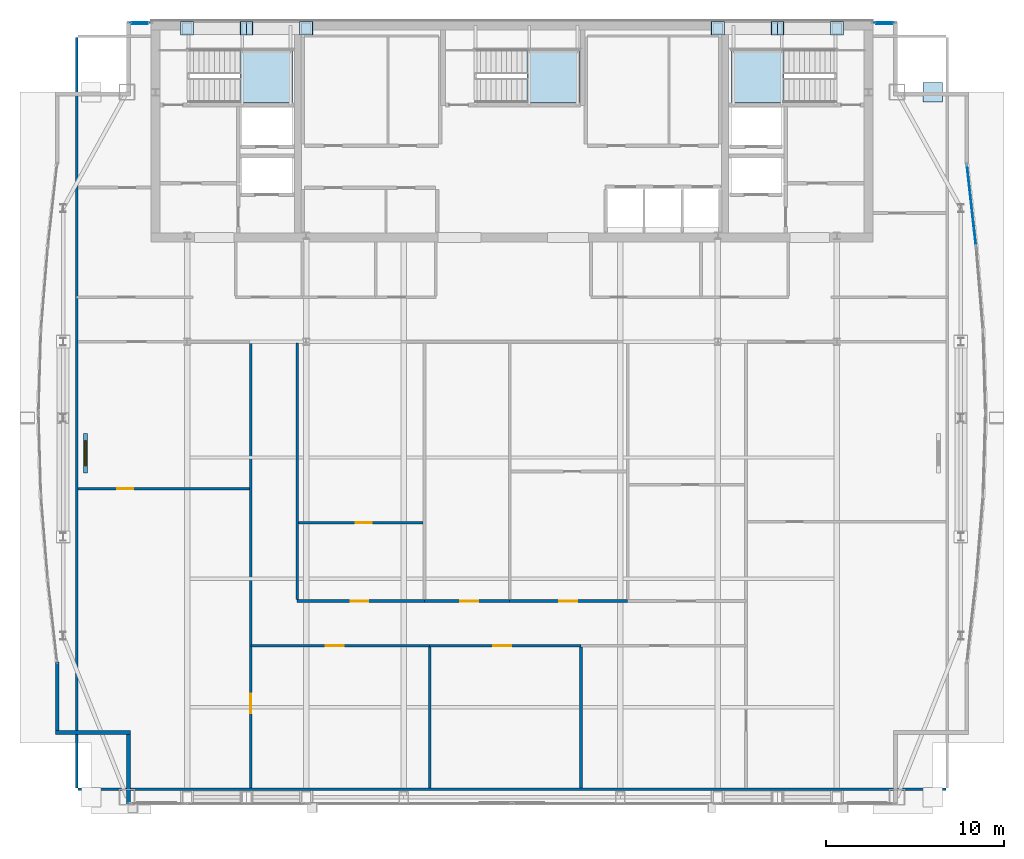
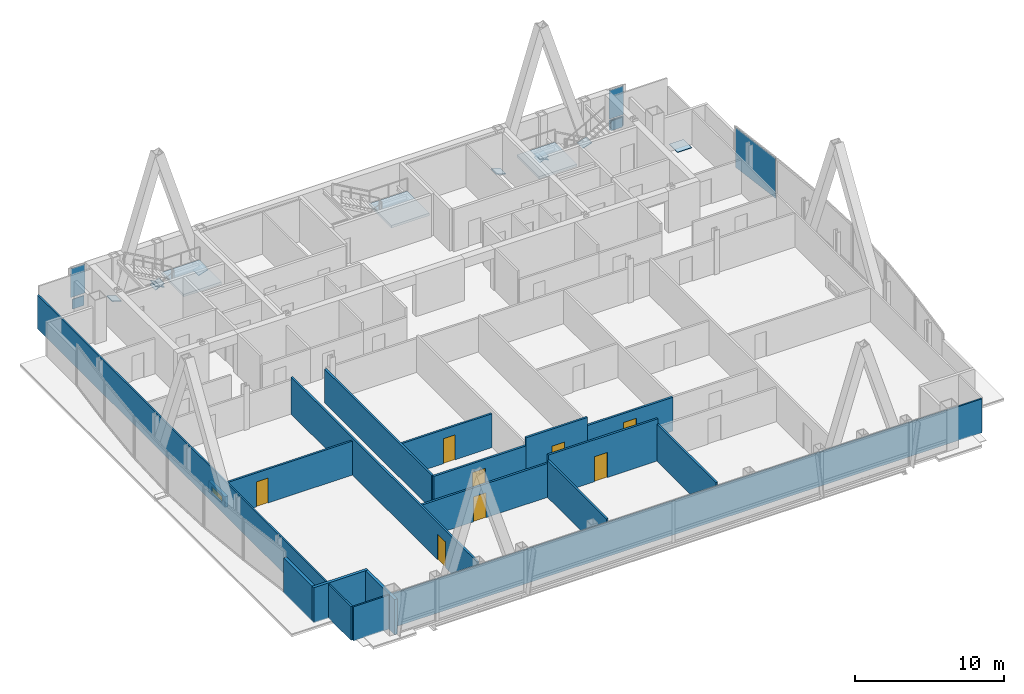
# One storey, part 22 of 28: 17 walls, 15 plates, 8 doors, 3 slabs, 1 window, 9 openings, 6 elements without a shape of their own.
"""IFC4 building model written with IfcOpenShell, lengths in metres."""

from ifc_helpers import new_model, si_unit, direction, frame, frame_2d, origin, origin_2d, place, context, subcontext, project, spatial, polyline, rectangle, outline, extrude, material, layer, layer_set, type_object, element, fill, aggregate, save


model = new_model("IFC4")

# Units and contexts
model_context = context("Model", 3, precision=1e-05, world=origin(), true_north=direction((0.0, 1.0)))
body_context = subcontext(model_context, "Body", "Model", "MODEL_VIEW")
ifc_project = project(units=[si_unit("LENGTHUNIT", "METRE"), si_unit("AREAUNIT", "SQUARE_METRE"), si_unit("VOLUMEUNIT", "CUBIC_METRE"), si_unit("PLANEANGLEUNIT", "RADIAN"), si_unit("MASSUNIT", "GRAM", prefix="KILO")], contexts=[model_context])

# Site, building, storey
site_placement = place(None, origin())
site = spatial("IfcSite", under=ifc_project, at=site_placement, CompositionType="ELEMENT")
building_placement = place(site_placement, origin())
building = spatial("IfcBuilding", under=site, at=building_placement, Name="Khoronbel Lancet Exchange", CompositionType="ELEMENT")
storey_placement = place(building_placement, frame((0.0, 0.0, 291.39990234375)))
storey = spatial("IfcBuildingStorey", under=building, at=storey_placement, Name="L75", CompositionType="ELEMENT", Elevation=291.39990234375)

# Curtain wall, plate
ifc_material_1 = material(Name="Low-E Solar Control Insulating Glass", Category="glass")
curtain_wall_type_1 = type_object("IfcCurtainWallType", Name="CW-3", PredefinedType="NOTDEFINED", material=ifc_material_1)
curtain_wall_1_placement = place(storey_placement, origin())
curtain_wall_1 = element("IfcCurtainWall", 1, at=curtain_wall_1_placement, inside=storey, type_object=curtain_wall_type_1, Name="Unitised curtain wall CW-L75-NWFLK", PredefinedType="NOTDEFINED")
ifc_material_2 = material(Name="Bronze-Anodised Aluminium 6063-T6", Category="aluminium")
ifc_layer_1 = layer(ifc_material_2, 0.050048828125, Name="Bronze-Anodised Aluminium 6063-T6")
ifc_layer_set_1 = layer_set([ifc_layer_1], Name="Bronze-Anodised Aluminium 6063-T6")
plate_type_1 = type_object("IfcPlateType", Name="PLT-CSP1", PredefinedType="SHEET", material=ifc_layer_set_1)
plate_1_placement = place(storey_placement, frame((15.580078125, 53.550048828125, 0.05029296875), z_axis=(0.0, 0.0, 1.0), x_axis=(-1.0, 0.0, 0.0)))
plate_1 = element("IfcPlate", 2, at=plate_1_placement, type_object=plate_type_1, Name="Insulated bronze spandrel cassette CW-L75-NWFLK", PredefinedType="SHEET", context=body_context, shape_type="SweptSolid", body=[
    extrude(rectangle(XDim=0.89599609375, YDim=0.050048828125, at=origin_2d()), origin(), (0.0, 0.0, 1.0), 0.800048828125),
])

curtain_wall_2_placement = place(storey_placement, origin())
curtain_wall_2 = element("IfcCurtainWall", 3, at=curtain_wall_2_placement, inside=storey, type_object=curtain_wall_type_1, Name="Unitised curtain wall CW-L75-NEFLK", PredefinedType="NOTDEFINED")
plate_2_placement = place(storey_placement, frame((57.320068359375, 53.550048828125, 0.05029296875), z_axis=(0.0, 0.0, 1.0), x_axis=(-1.0, 0.0, 0.0)))
plate_2 = element("IfcPlate", 4, at=plate_2_placement, type_object=plate_type_1, Name="Insulated bronze spandrel cassette CW-L75-NEFLK", PredefinedType="SHEET", context=body_context, shape_type="SweptSolid", body=[
    extrude(rectangle(XDim=0.89599609375, YDim=0.050048828125, at=origin_2d()), origin(), (0.0, 0.0, 1.0), 0.800048828125),
])

# Plate
ifc_layer_2 = layer(ifc_material_1, 0.035888671875, Name="Low-E Solar Control Insulating Glass")
ifc_layer_set_2 = layer_set([ifc_layer_2], Name="Low-E Solar Control Insulating Glass")
plate_type_2 = type_object("IfcPlateType", Name="PLT-CWP1", PredefinedType="CURTAIN_PANEL", material=ifc_layer_set_2)
plate_3_placement = place(storey_placement, frame((15.580078125, 53.610107421875, 0.99267578125), z_axis=(0.0, 0.0, 1.0), x_axis=(-1.0, 0.0, 0.0)))
plate_3 = element("IfcPlate", 5, at=plate_3_placement, type_object=plate_type_2, Name="CW3 panel 1.2", PredefinedType="CURTAIN_PANEL", context=body_context, shape_type="SweptSolid", body=[
    extrude(rectangle(XDim=1.110107421875, YDim=0.0380859375, at=origin_2d()), origin(), (0.0, 0.0, 1.0), 2.362548828125),
])

aggregate(curtain_wall_1, [plate_3, plate_1])

plate_4_placement = place(storey_placement, frame((57.320068359375, 53.610107421875, 0.0849609375), z_axis=(0.0, 0.0, 1.0), x_axis=(-1.0, 0.0, 0.0)))
plate_4 = element("IfcPlate", 6, at=plate_4_placement, type_object=plate_type_2, Name="CW3 panel 1.1", PredefinedType="CURTAIN_PANEL", context=body_context, shape_type="SweptSolid", body=[
    extrude(rectangle(XDim=1.110107421875, YDim=0.0380859375, at=origin_2d()), origin(), (0.0, 0.0, 1.0), 0.822509765625),
])

plate_5_placement = place(storey_placement, frame((57.320068359375, 53.610107421875, 0.99267578125), z_axis=(0.0, 0.0, 1.0), x_axis=(-1.0, 0.0, 0.0)))
plate_5 = element("IfcPlate", 7, at=plate_5_placement, type_object=plate_type_2, Name="CW3 panel 1.2", PredefinedType="CURTAIN_PANEL", context=body_context, shape_type="SweptSolid", body=[
    extrude(rectangle(XDim=1.110107421875, YDim=0.0380859375, at=origin_2d()), origin(), (0.0, 0.0, 1.0), 2.362548828125),
])

aggregate(curtain_wall_2, [plate_4, plate_5, plate_2])

# Curtain wall, plate
curtain_wall_type_2 = type_object("IfcCurtainWallType", Name="CW-4", PredefinedType="NOTDEFINED", material=ifc_material_1)
curtain_wall_3_placement = place(storey_placement, origin())
curtain_wall_3 = element("IfcCurtainWall", 8, at=curtain_wall_3_placement, inside=storey, type_object=curtain_wall_type_2, Name="Unitised curtain wall CW-L75-E17", PredefinedType="NOTDEFINED")
ifc_material_3 = material(Name="Ceramic-Fritted Laminated Insulating Glass", Category="glass")
ifc_layer_3 = layer(ifc_material_3, 0.0419921875, Name="Ceramic-Fritted Laminated Insulating Glass")
ifc_layer_set_3 = layer_set([ifc_layer_3], Name="Ceramic-Fritted Laminated Insulating Glass")
plate_type_3 = type_object("IfcPlateType", Name="PLT-CWP2", PredefinedType="CURTAIN_PANEL", material=ifc_layer_set_3)
plate_6_placement = place(storey_placement, frame((62.22265625, 43.35986328125, 0.085205078125), z_axis=(0.0, 0.0, 1.0), x_axis=(0.111790570813, -0.993731788903, 0.0)))
plate_6 = element("IfcPlate", 9, at=plate_6_placement, type_object=plate_type_3, Name="CW4 panel 1.1", PredefinedType="CURTAIN_PANEL", context=body_context, shape_type="SweptSolid", body=[
    extrude(rectangle(XDim=4.5498046875, YDim=0.0380859375, at=origin_2d()), origin(), (0.0, 0.0, 1.0), 3.27001953125),
])
aggregate(curtain_wall_3, [plate_6])

# Plates
ifc_material_4 = material(Name="Steel S460", Category="steel")
ifc_layer_4 = layer(ifc_material_4, 0.044921875, Name="Steel S460")
ifc_layer_set_4 = layer_set([ifc_layer_4], Name="Steel S460")
plate_type_4 = type_object("IfcPlateType", Name="PLT-ECP1", PredefinedType="USERDEFINED", material=ifc_layer_set_4)
plate_7_placement = place(storey_placement, frame((0.0, 0.0, -0.011962890625)))
element("IfcPlate", 10, at=plate_7_placement, inside=storey, type_object=plate_type_4, Name="Hollow end cap plate PLT-CAP-COL-L74-MC-NE-TOP", ObjectType="STIFFENER_PLATE", PredefinedType="USERDEFINED", context=body_context, shape_type="SweptSolid", body=[
    extrude(outline(polyline([(59.4951171875, 49.14501953125), (60.60498046875, 49.14501953125), (60.60498046875, 50.2548828125), (59.4951171875, 50.2548828125), (59.4951171875, 49.14501953125)])), origin(), (0.0, 0.0, 1.0), 0.045166015625),
])
for number, where, z_axis, x_axis, name in (
    (11, (21.921142578125, 52.89990234375, -0.1298828125), (0.420809267695, 0.0, 0.907149138908), (0.0, 1.0, 0.0), "Hollow end cap plate PLT-CAP-MEM-MB-T25-N-W-L-1"),
    (12, (21.203857421875, 53.659912109375, -0.1298828125), (-0.420809267695, 0.0, 0.907149138908), (0.0, -1.0, 0.0), "Hollow end cap plate PLT-CAP-MEM-MB-T25-N-W-R-1"),
    (13, (51.696044921875, 52.89990234375, -0.1298828125), (0.420809267695, 0.0, 0.907149138908), (0.0, 1.0, 0.0), "Hollow end cap plate PLT-CAP-MEM-MB-T25-N-E-L-1"),
):
    element("IfcPlate", number, at=place(storey_placement, frame(where, z_axis=z_axis, x_axis=x_axis)), inside=storey, type_object=plate_type_4, Name=name, ObjectType="STIFFENER_PLATE", PredefinedType="USERDEFINED", context=body_context, shape_type="SweptSolid", body=[
        extrude(outline(polyline([(0.0, 0.0), (0.760009765625, 0.0), (0.760009765625, 0.760009765625), (0.0, 0.760009765625), (0.0, 0.0)])), origin(), (0.0, 0.0, -1.0), 0.044921875),
    ])
plate_8_placement = place(storey_placement, frame((50.978759765625, 53.659912109375, -0.1298828125), z_axis=(-0.420686674867, 0.0, 0.907205997329), x_axis=(0.0, -1.0, 0.0)))
element("IfcPlate", 14, at=plate_8_placement, inside=storey, type_object=plate_type_4, Name="Hollow end cap plate PLT-CAP-MEM-MB-T25-N-E-R-1", ObjectType="STIFFENER_PLATE", PredefinedType="USERDEFINED", context=body_context, shape_type="SweptSolid", body=[
    extrude(outline(polyline([(0.0, 0.0), (0.760009765625, 0.0), (0.760009765625, 0.76025390625), (0.0, 0.76025390625), (0.0, 0.0)])), origin(), (0.0, 0.0, -1.0), 0.044921875),
])
for number, where, z_axis, x_axis, name in (
    (15, (18.591552734375, 52.89990234375, -0.1005859375), (0.295236958021, 0.0, 0.955424062193), (0.0, 1.0, 0.0), "Hollow end cap plate PLT-CAP-MEM-MB-T26-N-W-L-0"),
    (16, (24.533447265625, 53.659912109375, -0.1005859375), (-0.295236958021, 0.0, 0.955424062193), (0.0, -1.0, 0.0), "Hollow end cap plate PLT-CAP-MEM-MB-T26-N-W-R-0"),
):
    element("IfcPlate", number, at=place(storey_placement, frame(where, z_axis=z_axis, x_axis=x_axis)), inside=storey, type_object=plate_type_4, Name=name, ObjectType="STIFFENER_PLATE", PredefinedType="USERDEFINED", context=body_context, shape_type="SweptSolid", body=[
        extrude(outline(polyline([(0.0, 0.0), (0.760009765625, 0.0), (0.760009765625, 0.760009765625), (0.0, 0.760009765625), (0.0, 0.0)])), origin(), (0.0, 0.0, -1.0), 0.044921875),
    ])
plate_9_placement = place(storey_placement, frame((48.36669921875, 52.89990234375, -0.1005859375), z_axis=(0.295146364908, 0.0, 0.955452051796), x_axis=(0.0, 1.0, 0.0)))
element("IfcPlate", 17, at=plate_9_placement, inside=storey, type_object=plate_type_4, Name="Hollow end cap plate PLT-CAP-MEM-MB-T26-N-E-L-0", ObjectType="STIFFENER_PLATE", PredefinedType="USERDEFINED", context=body_context, shape_type="SweptSolid", body=[
    extrude(outline(polyline([(0.0, 0.0), (0.760009765625, 0.0), (0.760009765625, 0.76025390625), (0.0, 0.76025390625), (0.0, 0.0)])), origin(), (0.0, 0.0, -1.0), 0.044921875),
])
plate_10_placement = place(storey_placement, frame((54.308349609375, 53.659912109375, -0.1005859375), z_axis=(-0.295236958021, 0.0, 0.955424062193), x_axis=(0.0, -1.0, 0.0)))
element("IfcPlate", 18, at=plate_10_placement, inside=storey, type_object=plate_type_4, Name="Hollow end cap plate PLT-CAP-MEM-MB-T26-N-E-R-0", ObjectType="STIFFENER_PLATE", PredefinedType="USERDEFINED", context=body_context, shape_type="SweptSolid", body=[
    extrude(outline(polyline([(0.0, 0.0), (0.760009765625, 0.0), (0.760009765625, 0.760009765625), (0.0, 0.760009765625), (0.0, 0.0)])), origin(), (0.0, 0.0, -1.0), 0.044921875),
])

# Stair, slab
ifc_material_5 = material(Name="Concrete C40/50", Category="concrete")
stair_type = type_object("IfcStairType", Name="STR-CORE150", PredefinedType="HALF_TURN_STAIR", material=ifc_material_5)
stair_1_placement = place(storey_placement, origin())
stair_1 = element("IfcStair", 19, at=stair_1_placement, inside=storey, type_object=stair_type, Name="L75 Protected Exit Stair ST1", PredefinedType="HALF_TURN_STAIR")
ifc_layer_5 = layer(ifc_material_5, 0.199951171875, Name="Concrete C40/50")
ifc_layer_set_5 = layer_set([ifc_layer_5], Name="Concrete C40/50")
slab_type = type_object("IfcSlabType", Name="SL-LND180", PredefinedType="LANDING", material=ifc_layer_set_5)
slab_1_placement = place(storey_placement, frame((0.0, 0.0, 1.60009765625)))
slab_1 = element("IfcSlab", 20, at=slab_1_placement, type_object=slab_type, Name="ST1 landing 1", PredefinedType="LANDING", context=body_context, shape_type="SweptSolid", body=[
    extrude(outline(polyline([(21.199951171875, 49.1201171875), (24.14990234375, 49.1201171875), (24.14990234375, 52.10009765625), (21.199951171875, 52.10009765625), (21.199951171875, 49.1201171875)])), origin(), (0.0, 0.0, 1.0), 0.199951171875),
])
aggregate(stair_1, [slab_1])

stair_2_placement = place(storey_placement, origin())
stair_2 = element("IfcStair", 21, at=stair_2_placement, inside=storey, type_object=stair_type, Name="L75 Protected Exit Stair ST2", PredefinedType="HALF_TURN_STAIR")
slab_2_placement = place(storey_placement, frame((0.0, 0.0, 1.60009765625)))
slab_2 = element("IfcSlab", 22, at=slab_2_placement, type_object=slab_type, Name="ST2 landing 1", PredefinedType="LANDING", context=body_context, shape_type="SweptSolid", body=[
    extrude(outline(polyline([(51.699951171875, 52.10009765625), (48.75, 52.10009765625), (48.75, 49.1201171875), (51.699951171875, 49.1201171875), (51.699951171875, 52.10009765625)])), origin(), (0.0, 0.0, 1.0), 0.199951171875),
])
aggregate(stair_2, [slab_2])

stair_3_placement = place(storey_placement, origin())
stair_3 = element("IfcStair", 23, at=stair_3_placement, inside=storey, type_object=stair_type, Name="L75 Protected Exit Stair ST3", PredefinedType="HALF_TURN_STAIR")
slab_3_placement = place(storey_placement, frame((0.0, 0.0, 1.60009765625)))
slab_3 = element("IfcSlab", 24, at=slab_3_placement, type_object=slab_type, Name="ST3 landing 1", PredefinedType="LANDING", context=body_context, shape_type="SweptSolid", body=[
    extrude(outline(polyline([(37.300048828125, 49.1201171875), (40.25, 49.1201171875), (40.25, 52.10009765625), (37.300048828125, 52.10009765625), (37.300048828125, 49.1201171875)])), origin(), (0.0, 0.0, 1.0), 0.199951171875),
])
aggregate(stair_3, [slab_3])

# Walls
ifc_material_6 = material(Name="Precast concrete C40/50", Category="concrete")
ifc_layer_6 = layer(ifc_material_6, 0.25, Name="Precast concrete C40/50")
ifc_layer_set_6 = layer_set([ifc_layer_6], Name="Precast concrete C40/50")
wall_type_1 = type_object("IfcWallType", Name="WL-EXT250", PredefinedType="SOLIDWALL", material=ifc_layer_set_6)
wall_1_placement = place(storey_placement, frame((14.93994140625, 9.77001953125, 0.0), z_axis=(0.0, 0.0, 1.0), x_axis=(0.0, 1.0, 0.0)))
element("IfcWall", 25, at=wall_1_placement, inside=storey, type_object=wall_type_1, Name="Level L75 notched-corner limestone pier 01", PredefinedType="SOLIDWALL", context=body_context, shape_type="SweptSolid", body=[
    extrude(rectangle(XDim=3.909912109375, YDim=0.219970703125, at=frame_2d((1.955078125, 0.0))), origin(), (0.0, 0.0, 1.0), 2.880126953125),
])
wall_2_placement = place(storey_placement, frame((15.050048828125, 13.7900390625, 0.0), z_axis=(0.0, 0.0, 1.0), x_axis=(-1.0, 0.0, 0.0)))
element("IfcWall", 26, at=wall_2_placement, inside=storey, type_object=wall_type_1, Name="Level L75 notched-corner limestone pier 02", PredefinedType="SOLIDWALL", context=body_context, shape_type="SweptSolid", body=[
    extrude(rectangle(XDim=4.219970703125, YDim=0.219970703125, at=frame_2d((2.10986328125, 0.0))), origin(), (0.0, 0.0, 1.0), 2.880126953125),
])
wall_3_placement = place(storey_placement, frame((10.93994140625, 13.89990234375, 0.0), z_axis=(0.0, 0.0, 1.0), x_axis=(0.0, 1.0, 0.0)))
element("IfcWall", 27, at=wall_3_placement, inside=storey, type_object=wall_type_1, Name="Level L75 notched-corner limestone pier 03", PredefinedType="SOLIDWALL", context=body_context, shape_type="SweptSolid", body=[
    extrude(rectangle(XDim=3.8251953125, YDim=0.219970703125, at=frame_2d((1.91259765625, 0.0))), origin(), (0.0, 0.0, 1.0), 2.880126953125),
])

# Wall, opening, window
ifc_layer_7 = layer(ifc_material_5, 0.25, Name="Concrete C40/50")
ifc_layer_set_7 = layer_set([ifc_layer_7], Name="Concrete C40/50")
wall_type_2 = type_object("IfcWallType", Name="WL-PAR250", PredefinedType="PARAPET", material=ifc_layer_set_7)
wall_4_placement = place(storey_placement, frame((12.52490234375, 28.35009765625, 0.0), z_axis=(0.0, 0.0, 1.0), x_axis=(0.0, 1.0, 0.0)))
wall_4 = element("IfcWall", 28, at=wall_4_placement, inside=storey, type_object=wall_type_2, Name="Level L75 setback roof slab 1 smoke-ventilation skylight lantern curb", PredefinedType="PARAPET", context=body_context, shape_type="SweptSolid", body=[
    extrude(rectangle(XDim=2.199951171875, YDim=0.25, at=frame_2d((1.10009765625, 0.0))), origin(), (0.0, 0.0, 1.0), 0.880126953125),
])
opening_1_placement = place(wall_4_placement, frame((0.39990234375, 0.0, 0.159912109375)))
opening_1 = element("IfcOpeningElement", 29, at=opening_1_placement, cuts=wall_4, Name="Opening SK2", PredefinedType="OPENING", context=body_context, shape_type="SweptSolid", body=[
    extrude(rectangle(XDim=1.39990234375, YDim=0.5, at=frame_2d((0.699951171875, 0.25))), frame((0.0, 0.135009765625, 0.0), z_axis=(0.0, -1.0, 0.0), x_axis=(1.0, 0.0, 0.0)), (0.0, 0.0, 1.0), 0.27001953125),
])
window_type = type_object("IfcWindowType", Name="WIN-SK2", PartitioningType="SINGLE_PANEL", PredefinedType="SKYLIGHT", material=ifc_material_1)
window_placement = place(opening_1_placement, origin())
window = element("IfcWindow", 30, at=window_placement, inside=storey, type_object=window_type, Name="Level L75 setback roof slab 1 smoke-ventilation clerestory skylight", OverallHeight=0.5, OverallWidth=1.39990234375, PartitioningType="SINGLE_PANEL", PredefinedType="SKYLIGHT", context=body_context, shape_type="SweptSolid", body=[
    extrude(rectangle(XDim=1.39990234375, YDim=0.5, at=frame_2d((0.699951171875, 0.25))), frame((0.0, 0.030029296875, 0.0), z_axis=(0.0, -1.0, 0.0), x_axis=(1.0, 0.0, 0.0)), (0.0, 0.0, 1.0), 0.06005859375),
])
fill(opening_1, window)

# Wall, opening, door
ifc_material_7 = material(Name="Acoustic Metal-Stud & Mineral-Wool Gypsum Partition 120 mm", Category="gypsum")
ifc_layer_8 = layer(ifc_material_7, 0.1201171875, Name="Acoustic Metal-Stud & Mineral-Wool Gypsum Partition 120 mm")
ifc_layer_set_8 = layer_set([ifc_layer_8], Name="Acoustic Metal-Stud & Mineral-Wool Gypsum Partition 120 mm")
wall_type_3 = type_object("IfcWallType", Name="WL-PRT120", PredefinedType="PARTITIONING", material=ifc_layer_set_8)
wall_5_placement = place(storey_placement, frame((12.094970703125, 27.449951171875, 0.0), z_axis=(0.0, 0.0, 1.0), x_axis=(1.0, 0.0, 0.0)))
wall_5 = element("IfcWall", 31, at=wall_5_placement, inside=storey, type_object=wall_type_3, Name="Level L75 interior partition PW-Z4-WH", PredefinedType="PARTITIONING", context=body_context, shape_type="SweptSolid", body=[
    extrude(rectangle(XDim=9.625, YDim=0.14990234375, at=frame_2d((4.8125, 0.0))), origin(), (0.0, 0.0, 1.0), 2.780029296875),
])
opening_2_placement = place(wall_5_placement, frame((2.199951171875, 0.0, 0.0)))
opening_2 = element("IfcOpeningElement", 32, at=opening_2_placement, cuts=wall_5, Name="Opening D5", PredefinedType="OPENING", context=body_context, shape_type="SweptSolid", body=[
    extrude(rectangle(XDim=0.89990234375, YDim=2.050048828125, at=frame_2d((0.449951171875, 1.02490234375))), frame((0.0, 0.0849609375, 0.0), z_axis=(0.0, -1.0, 0.0), x_axis=(1.0, 0.0, 0.0)), (0.0, 0.0, 1.0), 0.169921875),
])
ifc_material_8 = material(Name="Acoustic Timber Pantry & Support Door", Category="wood")
door_type_1 = type_object("IfcDoorType", Name="DR-D5", OperationType="NOTDEFINED", PredefinedType="DOOR", material=ifc_material_8)
door_1_placement = place(opening_2_placement, origin())
door_1 = element("IfcDoor", 33, at=door_1_placement, inside=storey, type_object=door_type_1, Name="West lens inner door L75-1", OperationType="SINGLE_SWING_RIGHT", OverallHeight=2.050048828125, OverallWidth=0.89990234375, PredefinedType="DOOR", context=body_context, shape_type="SweptSolid", body=[
    extrude(rectangle(XDim=0.89990234375, YDim=2.050048828125, at=frame_2d((0.449951171875, 1.02490234375))), frame((0.0, 0.02490234375, 0.0), z_axis=(0.0, -1.0, 0.0), x_axis=(1.0, 0.0, 0.0)), (0.0, 0.0, 1.0), 0.050048828125),
])
fill(opening_2, door_1)

wall_6_placement = place(storey_placement, frame((24.47998046875, 25.549560546875, 0.0), z_axis=(0.0, 0.0, 1.0), x_axis=(1.0, 0.0, 0.0)))
wall_6 = element("IfcWall", 34, at=wall_6_placement, inside=storey, type_object=wall_type_3, Name="Level L75 interior partition PW-Z4C-H1", PredefinedType="PARTITIONING", context=body_context, shape_type="SweptSolid", body=[
    extrude(rectangle(XDim=6.97802734375, YDim=0.14990234375, at=frame_2d((3.489013671875, 0.0))), origin(), (0.0, 0.0, 1.0), 2.780029296875),
])
opening_3_placement = place(wall_6_placement, frame((3.212158203125, 0.0, 0.0)))
opening_3 = element("IfcOpeningElement", 35, at=opening_3_placement, cuts=wall_6, Name="Opening D5", PredefinedType="OPENING", context=body_context, shape_type="SweptSolid", body=[
    extrude(rectangle(XDim=0.89990234375, YDim=2.050048828125, at=frame_2d((0.449951171875, 1.02490234375))), frame((0.0, 0.0849609375, 0.0), z_axis=(0.0, -1.0, 0.0), x_axis=(1.0, 0.0, 0.0)), (0.0, 0.0, 1.0), 0.169921875),
])
door_2_placement = place(opening_3_placement, origin())
door_2 = element("IfcDoor", 36, at=door_2_placement, inside=storey, type_object=door_type_1, Name="Z4C inner door 1 L75-1", OperationType="SINGLE_SWING_LEFT", OverallHeight=2.050048828125, OverallWidth=0.89990234375, PredefinedType="DOOR", context=body_context, shape_type="SweptSolid", body=[
    extrude(rectangle(XDim=0.89990234375, YDim=2.050048828125, at=frame_2d((0.449951171875, 1.02490234375))), frame((0.0, 0.02490234375, 0.0), z_axis=(0.0, -1.0, 0.0), x_axis=(1.0, 0.0, 0.0)), (0.0, 0.0, 1.0), 0.050048828125),
])
fill(opening_3, door_2)

# Walls
wall_7_placement = place(storey_placement, frame((12.030029296875, 10.6650390625, 0.0), z_axis=(0.0, 0.0, 1.0), x_axis=(0.0, 1.0, 0.0)))
element("IfcWall", 37, at=wall_7_placement, inside=storey, type_object=wall_type_3, Name="Level L75 interior partition PW-LIN-W", PredefinedType="PARTITIONING", context=body_context, shape_type="SweptSolid", body=[
    extrude(rectangle(XDim=42.10986328125, YDim=0.1201171875, at=frame_2d((21.054931640625, 0.0))), origin(), (0.0, 0.0, 1.0), 2.780029296875),
])
wall_8_placement = place(storey_placement, frame((12.094970703125, 10.60009765625, 0.0), z_axis=(0.0, 0.0, 1.0), x_axis=(1.0, 0.0, 0.0)))
element("IfcWall", 38, at=wall_8_placement, inside=storey, type_object=wall_type_3, Name="Level L75 interior partition PW-LIN-S", PredefinedType="PARTITIONING", context=body_context, shape_type="SweptSolid", body=[
    extrude(rectangle(XDim=48.7099609375, YDim=0.1201171875, at=frame_2d((24.35498046875, 0.0))), origin(), (0.0, 0.0, 1.0), 2.780029296875),
])

# Wall, opening, door
ifc_material_9 = material(Name="Fire-Rated Twin-Stud Acoustic Gypsum Partition 150 mm", Category="gypsum")
ifc_layer_9 = layer(ifc_material_9, 0.14990234375, Name="Fire-Rated Twin-Stud Acoustic Gypsum Partition 150 mm")
ifc_layer_set_9 = layer_set([ifc_layer_9], Name="Fire-Rated Twin-Stud Acoustic Gypsum Partition 150 mm")
wall_type_4 = type_object("IfcWallType", Name="WL-PRT150C", PredefinedType="PARTITIONING", material=ifc_layer_set_9)
wall_9_placement = place(storey_placement, frame((21.800048828125, 10.6650390625, 0.0), z_axis=(0.0, 0.0, 1.0), x_axis=(0.0, 1.0, 0.0)))
wall_9 = element("IfcWall", 39, at=wall_9_placement, inside=storey, type_object=wall_type_4, Name="Level L75 interior partition PW-Z4-WW", PredefinedType="PARTITIONING", context=body_context, shape_type="SweptSolid", body=[
    extrude(rectangle(XDim=24.955078125, YDim=0.14990234375, at=frame_2d((12.4775390625, 0.0))), origin(), (0.0, 0.0, 1.0), 3.030029296875),
])
opening_4_placement = place(wall_9_placement, frame((4.199951171875, 0.0, 0.0)))
opening_4 = element("IfcOpeningElement", 40, at=opening_4_placement, cuts=wall_9, Name="Opening D6", PredefinedType="OPENING", context=body_context, shape_type="SweptSolid", body=[
    extrude(rectangle(XDim=1.10009765625, YDim=2.10009765625, at=frame_2d((0.550048828125, 1.050048828125))), frame((0.0, 0.0849609375, 0.0), z_axis=(0.0, -1.0, 0.0), x_axis=(1.0, 0.0, 0.0)), (0.0, 0.0, 1.0), 0.169921875),
])
ifc_material_10 = material(Name="Acoustic Bronze-Veneer Executive Suite Door", Category="wood")
door_type_2 = type_object("IfcDoorType", Name="DR-D6", OperationType="NOTDEFINED", PredefinedType="DOOR", material=ifc_material_10)
door_3_placement = place(opening_4_placement, origin())
door_3 = element("IfcDoor", 41, at=door_3_placement, inside=storey, type_object=door_type_2, Name="West lens presidential door L75-1", OperationType="SINGLE_SWING_RIGHT", OverallHeight=2.10009765625, OverallWidth=1.10009765625, PredefinedType="DOOR", context=body_context, shape_type="SweptSolid", body=[
    extrude(rectangle(XDim=1.10009765625, YDim=2.10009765625, at=frame_2d((0.550048828125, 1.050048828125))), frame((0.0, 0.02490234375, 0.0), z_axis=(0.0, -1.0, 0.0), x_axis=(1.0, 0.0, 0.0)), (0.0, 0.0, 1.0), 0.050048828125),
])
fill(opening_4, door_3)

# Walls
wall_10_placement = place(storey_placement, frame((24.39990234375, 21.235107421875, 0.0), z_axis=(0.0, 0.0, 1.0), x_axis=(0.0, 1.0, 0.0)))
element("IfcWall", 42, at=wall_10_placement, inside=storey, type_object=wall_type_4, Name="Level L75 interior partition PW-Z4-WE", PredefinedType="PARTITIONING", context=body_context, shape_type="SweptSolid", body=[
    extrude(rectangle(XDim=14.385009765625, YDim=0.14990234375, at=frame_2d((7.1923828125, 0.0))), origin(), (0.0, 0.0, 1.0), 2.780029296875),
])
for number, where, z_axis, x_axis, name in (
    (43, (31.831787109375, 10.6650390625, 0.0), (0.0, 0.0, 1.0), (0.0, 1.0, 0.0), "Level L75 interior partition PW-Z4S-V1"),
    (44, (40.320068359375, 10.6650390625, 0.0), (0.0, 0.0, 1.0), (0.0, 1.0, 0.0), "Level L75 interior partition PW-Z4S-V2"),
):
    element("IfcWall", number, at=place(storey_placement, frame(where, z_axis=z_axis, x_axis=x_axis)), inside=storey, type_object=wall_type_4, Name=name, PredefinedType="PARTITIONING", context=body_context, shape_type="SweptSolid", body=[
        extrude(rectangle(XDim=7.89990234375, YDim=0.14990234375, at=frame_2d((3.949951171875, 0.0))), origin(), (0.0, 0.0, 1.0), 3.030029296875),
    ])

# Wall, opening, door
ifc_material_11 = material(Name="Fire-Rated Twin-Stud Acoustic Gypsum Partition 160 mm", Category="gypsum")
ifc_layer_10 = layer(ifc_material_11, 0.159912109375, Name="Fire-Rated Twin-Stud Acoustic Gypsum Partition 160 mm")
ifc_layer_set_10 = layer_set([ifc_layer_10], Name="Fire-Rated Twin-Stud Acoustic Gypsum Partition 160 mm")
wall_type_5 = type_object("IfcWallType", Name="WL-PRT160C", PredefinedType="PARTITIONING", material=ifc_layer_set_10)
wall_11_placement = place(storey_placement, frame((24.39990234375, 21.14990234375, 0.0), z_axis=(0.0, 0.0, 1.0), x_axis=(1.0, 0.0, 0.0)))
wall_11 = element("IfcWall", 45, at=wall_11_placement, inside=storey, type_object=wall_type_5, Name="Level L75 interior partition PW-Z4C-COR1", PredefinedType="PARTITIONING", context=body_context, shape_type="SweptSolid", body=[
    extrude(rectangle(XDim=7.13818359375, YDim=0.159912109375, at=frame_2d((3.569091796875, 0.0))), origin(), (0.0, 0.0, 1.0), 2.780029296875),
])
opening_5_placement = place(wall_11_placement, frame((2.998046875, 0.0, 0.0)))
opening_5 = element("IfcOpeningElement", 46, at=opening_5_placement, cuts=wall_11, Name="Opening D2", PredefinedType="OPENING", context=body_context, shape_type="SweptSolid", body=[
    extrude(rectangle(XDim=1.0, YDim=2.050048828125, at=frame_2d((0.5, 1.02490234375))), frame((0.0, 0.08984375, 0.0), z_axis=(0.0, -1.0, 0.0), x_axis=(1.0, 0.0, 0.0)), (0.0, 0.0, 1.0), 0.179931640625),
])
ifc_material_12 = material(Name="Acoustic Veneered Timber & Bronze Frame Door", Category="wood")
door_type_3 = type_object("IfcDoorType", Name="DR-D2", OperationType="NOTDEFINED", PredefinedType="DOOR", material=ifc_material_12)
door_4_placement = place(opening_5_placement, origin())
door_4 = element("IfcDoor", 47, at=door_4_placement, inside=storey, type_object=door_type_3, Name="Z4C bay 1 door L75-1", OperationType="SINGLE_SWING_RIGHT", OverallHeight=2.050048828125, OverallWidth=1.0, PredefinedType="DOOR", context=body_context, shape_type="SweptSolid", body=[
    extrude(rectangle(XDim=1.0, YDim=2.050048828125, at=frame_2d((0.5, 1.02490234375))), frame((0.0, 0.02490234375, 0.0), z_axis=(0.0, -1.0, 0.0), x_axis=(1.0, 0.0, 0.0)), (0.0, 0.0, 1.0), 0.050048828125),
])
fill(opening_5, door_4)

wall_12_placement = place(storey_placement, frame((31.5380859375, 21.14990234375, 0.0), z_axis=(0.0, 0.0, 1.0), x_axis=(1.0, 0.0, 0.0)))
wall_12 = element("IfcWall", 48, at=wall_12_placement, inside=storey, type_object=wall_type_5, Name="Level L75 interior partition PW-Z4C-COR2", PredefinedType="PARTITIONING", context=body_context, shape_type="SweptSolid", body=[
    extrude(rectangle(XDim=4.780029296875, YDim=0.159912109375, at=frame_2d((2.39013671875, 0.0))), origin(), (0.0, 0.0, 1.0), 3.440185546875),
])
opening_6_placement = place(wall_12_placement, frame((2.007568359375, 0.0, 0.0)))
opening_6 = element("IfcOpeningElement", 49, at=opening_6_placement, cuts=wall_12, Name="Opening D2", PredefinedType="OPENING", context=body_context, shape_type="SweptSolid", body=[
    extrude(rectangle(XDim=1.0, YDim=2.050048828125, at=frame_2d((0.5, 1.02490234375))), frame((0.0, 0.08984375, 0.0), z_axis=(0.0, -1.0, 0.0), x_axis=(1.0, 0.0, 0.0)), (0.0, 0.0, 1.0), 0.179931640625),
])
door_5_placement = place(opening_6_placement, origin())
door_5 = element("IfcDoor", 50, at=door_5_placement, inside=storey, type_object=door_type_3, Name="Z4C bay 2 door L75-1", OperationType="SINGLE_SWING_RIGHT", OverallHeight=2.050048828125, OverallWidth=1.0, PredefinedType="DOOR", context=body_context, shape_type="SweptSolid", body=[
    extrude(rectangle(XDim=1.0, YDim=2.050048828125, at=frame_2d((0.5, 1.02490234375))), frame((0.0, 0.02490234375, 0.0), z_axis=(0.0, -1.0, 0.0), x_axis=(1.0, 0.0, 0.0)), (0.0, 0.0, 1.0), 0.050048828125),
])
fill(opening_6, door_5)

wall_13_placement = place(storey_placement, frame((36.318115234375, 21.14990234375, 0.0), z_axis=(0.0, 0.0, 1.0), x_axis=(1.0, 0.0, 0.0)))
wall_13 = element("IfcWall", 51, at=wall_13_placement, inside=storey, type_object=wall_type_5, Name="Level L75 interior partition PW-Z4C-COR3", PredefinedType="PARTITIONING", context=body_context, shape_type="SweptSolid", body=[
    extrude(rectangle(XDim=6.623046875, YDim=0.159912109375, at=frame_2d((3.3115234375, 0.0))), origin(), (0.0, 0.0, 1.0), 2.780029296875),
])
opening_7_placement = place(wall_13_placement, frame((2.78173828125, 0.0, 0.0)))
opening_7 = element("IfcOpeningElement", 52, at=opening_7_placement, cuts=wall_13, Name="Opening D2", PredefinedType="OPENING", context=body_context, shape_type="SweptSolid", body=[
    extrude(rectangle(XDim=1.0, YDim=2.050048828125, at=frame_2d((0.5, 1.02490234375))), frame((0.0, 0.08984375, 0.0), z_axis=(0.0, -1.0, 0.0), x_axis=(1.0, 0.0, 0.0)), (0.0, 0.0, 1.0), 0.179931640625),
])
door_6_placement = place(opening_7_placement, origin())
door_6 = element("IfcDoor", 53, at=door_6_placement, inside=storey, type_object=door_type_3, Name="Z4C bay 3 door L75-1", OperationType="SINGLE_SWING_LEFT", OverallHeight=2.050048828125, OverallWidth=1.0, PredefinedType="DOOR", context=body_context, shape_type="SweptSolid", body=[
    extrude(rectangle(XDim=1.0, YDim=2.050048828125, at=frame_2d((0.5, 1.02490234375))), frame((0.0, 0.02490234375, 0.0), z_axis=(0.0, -1.0, 0.0), x_axis=(1.0, 0.0, 0.0)), (0.0, 0.0, 1.0), 0.050048828125),
])
fill(opening_7, door_6)

wall_14_placement = place(storey_placement, frame((21.800048828125, 18.64990234375, 0.0), z_axis=(0.0, 0.0, 1.0), x_axis=(1.0, 0.0, 0.0)))
wall_14 = element("IfcWall", 54, at=wall_14_placement, inside=storey, type_object=wall_type_5, Name="Level L75 interior partition PW-Z4S-COR1", PredefinedType="PARTITIONING", context=body_context, shape_type="SweptSolid", body=[
    extrude(rectangle(XDim=10.03173828125, YDim=0.159912109375, at=frame_2d((5.015869140625, 0.0))), origin(), (0.0, 0.0, 1.0), 2.780029296875),
])
opening_8_placement = place(wall_14_placement, frame((4.21337890625, 0.0, 0.0)))
opening_8 = element("IfcOpeningElement", 55, at=opening_8_placement, cuts=wall_14, Name="Opening D2", PredefinedType="OPENING", context=body_context, shape_type="SweptSolid", body=[
    extrude(rectangle(XDim=1.0, YDim=2.050048828125, at=frame_2d((0.5, 1.02490234375))), frame((0.0, 0.08984375, 0.0), z_axis=(0.0, -1.0, 0.0), x_axis=(1.0, 0.0, 0.0)), (0.0, 0.0, 1.0), 0.179931640625),
])
door_7_placement = place(opening_8_placement, origin())
door_7 = element("IfcDoor", 56, at=door_7_placement, inside=storey, type_object=door_type_3, Name="Z4S bay 1 door L75-1", OperationType="SINGLE_SWING_LEFT", OverallHeight=2.050048828125, OverallWidth=1.0, PredefinedType="DOOR", context=body_context, shape_type="SweptSolid", body=[
    extrude(rectangle(XDim=1.0, YDim=2.050048828125, at=frame_2d((0.5, 1.02490234375))), frame((0.0, 0.02490234375, 0.0), z_axis=(0.0, -1.0, 0.0), x_axis=(1.0, 0.0, 0.0)), (0.0, 0.0, 1.0), 0.050048828125),
])
fill(opening_8, door_7)

wall_15_placement = place(storey_placement, frame((31.831787109375, 18.64990234375, 0.0), z_axis=(0.0, 0.0, 1.0), x_axis=(1.0, 0.0, 0.0)))
wall_15 = element("IfcWall", 57, at=wall_15_placement, inside=storey, type_object=wall_type_5, Name="Level L75 interior partition PW-Z4S-COR2", PredefinedType="PARTITIONING", context=body_context, shape_type="SweptSolid", body=[
    extrude(rectangle(XDim=8.48828125, YDim=0.159912109375, at=frame_2d((4.244140625, 0.0))), origin(), (0.0, 0.0, 1.0), 3.440185546875),
])
opening_9_placement = place(wall_15_placement, frame((3.565185546875, 0.0, 0.0)))
opening_9 = element("IfcOpeningElement", 58, at=opening_9_placement, cuts=wall_15, Name="Opening D2", PredefinedType="OPENING", context=body_context, shape_type="SweptSolid", body=[
    extrude(rectangle(XDim=1.0, YDim=2.050048828125, at=frame_2d((0.5, 1.02490234375))), frame((0.0, 0.08984375, 0.0), z_axis=(0.0, -1.0, 0.0), x_axis=(1.0, 0.0, 0.0)), (0.0, 0.0, 1.0), 0.179931640625),
])
door_8_placement = place(opening_9_placement, origin())
door_8 = element("IfcDoor", 59, at=door_8_placement, inside=storey, type_object=door_type_3, Name="Z4S bay 2 door L75-1", OperationType="SINGLE_SWING_RIGHT", OverallHeight=2.050048828125, OverallWidth=1.0, PredefinedType="DOOR", context=body_context, shape_type="SweptSolid", body=[
    extrude(rectangle(XDim=1.0, YDim=2.050048828125, at=frame_2d((0.5, 1.02490234375))), frame((0.0, 0.02490234375, 0.0), z_axis=(0.0, -1.0, 0.0), x_axis=(1.0, 0.0, 0.0)), (0.0, 0.0, 1.0), 0.050048828125),
])
fill(opening_9, door_8)

save(model, "model.ifc")
